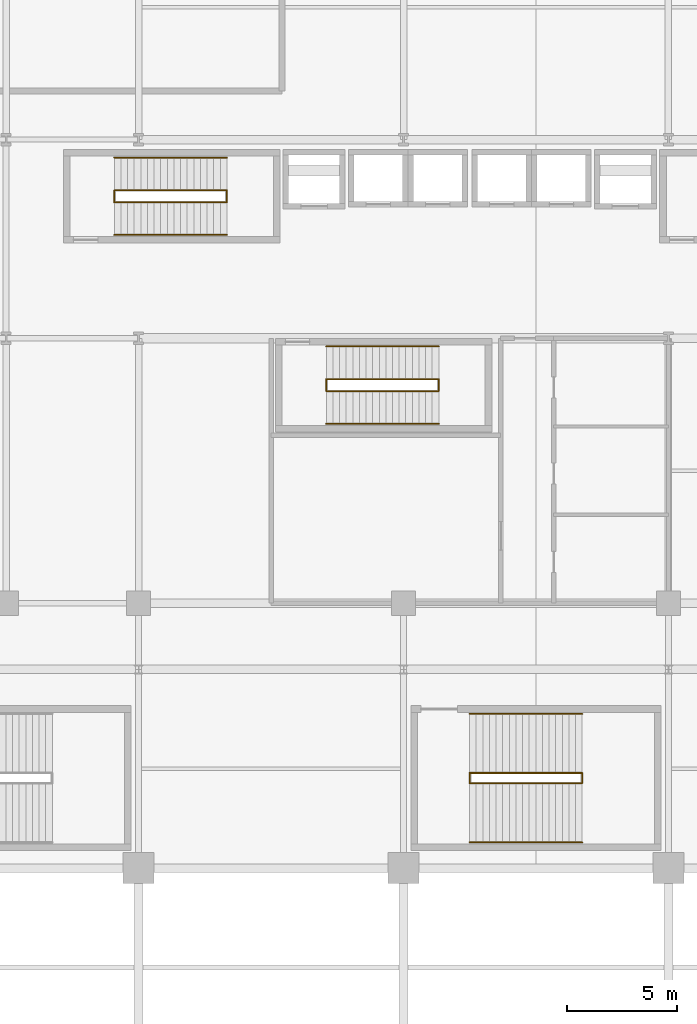
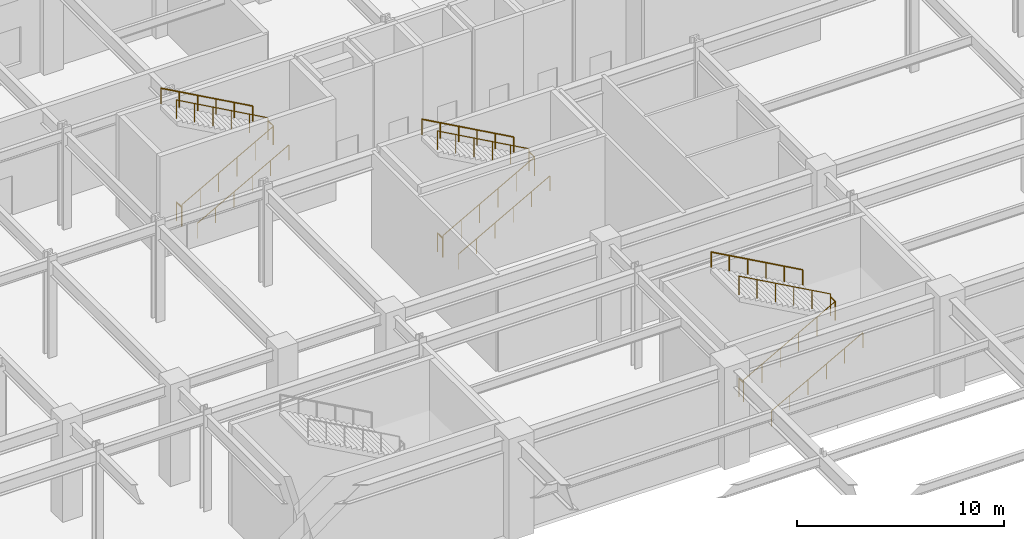
# One storey, part 101 of 105: 18 railings.
"""IFC4 building model written with IfcOpenShell, lengths in metres."""

from ifc_helpers import new_model, si_unit, direction, frame, origin, origin_2d, place, context, subcontext, project, spatial, circle, extrude, material, type_object, element, save


model = new_model("IFC4")

# Units and contexts
model_context = context("Model", 3, precision=1e-05, world=origin(), true_north=direction((0.0, 1.0)))
body_context = subcontext(model_context, "Body", "Model", "MODEL_VIEW")
ifc_project = project(units=[si_unit("LENGTHUNIT", "METRE"), si_unit("AREAUNIT", "SQUARE_METRE"), si_unit("VOLUMEUNIT", "CUBIC_METRE"), si_unit("PLANEANGLEUNIT", "RADIAN"), si_unit("MASSUNIT", "GRAM", prefix="KILO")], contexts=[model_context])

# Site, building, storey
site_placement = place(None, origin())
site = spatial("IfcSite", under=ifc_project, at=site_placement, CompositionType="ELEMENT")
building_placement = place(site_placement, origin())
building = spatial("IfcBuilding", under=site, at=building_placement, Name="Kaldorvane Square Convention Centre", CompositionType="ELEMENT")
storey_placement = place(building_placement, frame((0.0, 0.0, 6.0)))
storey = spatial("IfcBuildingStorey", under=building, at=storey_placement, Name="L01", CompositionType="ELEMENT", Elevation=6.0)

# Railings
ifc_material = material(Name="Architectural Painted Steel", Category="steel")
railing_type_1 = type_object("IfcRailingType", Name="RL-GUARD-1120", PredefinedType="BALUSTRADE", material=ifc_material)
for number, where, name in (
    (1, (40.899993896484375, 102.16999816894531, 0.0), "Tower Exit Stair T1 Floor Well Guard (L01)"),
    (2, (46.0, 102.16999816894531, 3.0), "Tower Exit Stair T1 Half-Landing Guard (L01)"),
):
    element("IfcRailing", number, at=place(storey_placement, frame(where)), inside=storey, type_object=railing_type_1, Name=name, PredefinedType="BALUSTRADE", context=body_context, shape_type="SweptSolid", body=[
        extrude(circle(Radius=0.0240020751953125, at=origin_2d()), frame((0.0, 0.0, 1.0959930419921875), z_axis=(0.0, 1.0, 0.0), x_axis=(-1.0, 0.0, 0.0)), (0.0, 0.0, 1.0), 0.5200042724609375),
        extrude(circle(Radius=0.02099609375, at=origin_2d()), origin(), (0.0, 0.0, 1.0), 1.071990966796875),
        extrude(circle(Radius=0.02099609375, at=origin_2d()), frame((0.0, 0.5200042724609375, 0.0)), (0.0, 0.0, 1.0), 1.071990966796875),
    ])
railing_1_placement = place(storey_placement, frame((40.899993896484375, 102.16000366210938, 0.1666717529296875)))
element("IfcRailing", 3, at=railing_1_placement, inside=storey, type_object=railing_type_1, Name="Tower Exit Stair T1 Flight 1 Guard (L01)", PredefinedType="BALUSTRADE", context=body_context, shape_type="SweptSolid", body=[
    extrude(circle(Radius=0.0240020751953125, at=origin_2d()), frame((0.0, 0.0, 1.0959930419921875), z_axis=(0.874157892962, 0.0, 0.485641820864), x_axis=(0.0, 1.0, 0.0)), (0.0, 0.0, 1.0), 5.834197998046875),
    extrude(circle(Radius=0.02099609375, at=origin_2d()), origin(), (0.0, 0.0, 1.0), 1.071990966796875),
    extrude(circle(Radius=0.02099609375, at=origin_2d()), frame((1.0200042724609375, 0.0, 0.5666656494140625)), (0.0, 0.0, 1.0), 1.071990966796875),
    extrude(circle(Radius=0.02099609375, at=origin_2d()), frame((2.040008544921875, 0.0, 1.133331298828125)), (0.0, 0.0, 1.0), 1.071990966796875),
    extrude(circle(Radius=0.02099609375, at=origin_2d()), frame((3.05999755859375, 0.0, 1.6999969482421875)), (0.0, 0.0, 1.0), 1.071990966796875),
    extrude(circle(Radius=0.02099609375, at=origin_2d()), frame((4.0800018310546875, 0.0, 2.26666259765625)), (0.0, 0.0, 1.0), 1.071990966796875),
    extrude(circle(Radius=0.02099609375, at=origin_2d()), frame((5.100006103515625, 0.0, 2.8333282470703125)), (0.0, 0.0, 1.0), 1.071990966796875),
])
railing_2_placement = place(storey_placement, frame((46.0, 102.69999694824219, 3.1666717529296875)))
element("IfcRailing", 4, at=railing_2_placement, inside=storey, type_object=railing_type_1, Name="Tower Exit Stair T1 Flight 2 Guard (L01)", PredefinedType="BALUSTRADE", context=body_context, shape_type="SweptSolid", body=[
    extrude(circle(Radius=0.0240020751953125, at=origin_2d()), frame((0.0, 0.0, 1.0959930419921875), z_axis=(-0.874157892962, 0.0, 0.485641820864), x_axis=(0.0, -1.0, 0.0)), (0.0, 0.0, 1.0), 5.834197998046875),
    extrude(circle(Radius=0.02099609375, at=origin_2d()), origin(), (0.0, 0.0, 1.0), 1.071990966796875),
    extrude(circle(Radius=0.02099609375, at=origin_2d()), frame((-1.0200042724609375, 0.0, 0.5666656494140625)), (0.0, 0.0, 1.0), 1.071990966796875),
    extrude(circle(Radius=0.02099609375, at=origin_2d()), frame((-2.040008544921875, 0.0, 1.133331298828125)), (0.0, 0.0, 1.0), 1.071990966796875),
    extrude(circle(Radius=0.02099609375, at=origin_2d()), frame((-3.05999755859375, 0.0, 1.6999969482421875)), (0.0, 0.0, 1.0), 1.071990966796875),
    extrude(circle(Radius=0.02099609375, at=origin_2d()), frame((-4.0800018310546875, 0.0, 2.26666259765625)), (0.0, 0.0, 1.0), 1.071990966796875),
    extrude(circle(Radius=0.02099609375, at=origin_2d()), frame((-5.100006103515625, 0.0, 2.8333282470703125)), (0.0, 0.0, 1.0), 1.071990966796875),
])
for number, where, name in (
    (5, (50.5, 93.6199951171875, 0.0), "Tower Exit Stair T3 Floor Well Guard (L01)"),
    (6, (55.600006103515625, 93.6199951171875, 3.0), "Tower Exit Stair T3 Half-Landing Guard (L01)"),
):
    element("IfcRailing", number, at=place(storey_placement, frame(where)), inside=storey, type_object=railing_type_1, Name=name, PredefinedType="BALUSTRADE", context=body_context, shape_type="SweptSolid", body=[
        extrude(circle(Radius=0.0240020751953125, at=origin_2d()), frame((0.0, 0.0, 1.0959930419921875), z_axis=(0.0, 1.0, 0.0), x_axis=(-1.0, 0.0, 0.0)), (0.0, 0.0, 1.0), 0.5200042724609375),
        extrude(circle(Radius=0.02099609375, at=origin_2d()), origin(), (0.0, 0.0, 1.0), 1.071990966796875),
        extrude(circle(Radius=0.02099609375, at=origin_2d()), frame((0.0, 0.5200042724609375, 0.0)), (0.0, 0.0, 1.0), 1.071990966796875),
    ])
railing_3_placement = place(storey_placement, frame((50.5, 93.61000061035156, 0.1666717529296875)))
element("IfcRailing", 7, at=railing_3_placement, inside=storey, type_object=railing_type_1, Name="Tower Exit Stair T3 Flight 1 Guard (L01)", PredefinedType="BALUSTRADE", context=body_context, shape_type="SweptSolid", body=[
    extrude(circle(Radius=0.0240020751953125, at=origin_2d()), frame((0.0, 0.0, 1.0959930419921875), z_axis=(0.874157892962, 0.0, 0.485641820864), x_axis=(0.0, 1.0, 0.0)), (0.0, 0.0, 1.0), 5.834197998046875),
    extrude(circle(Radius=0.02099609375, at=origin_2d()), origin(), (0.0, 0.0, 1.0), 1.071990966796875),
    extrude(circle(Radius=0.02099609375, at=origin_2d()), frame((1.0200042724609375, 0.0, 0.5666656494140625)), (0.0, 0.0, 1.0), 1.071990966796875),
    extrude(circle(Radius=0.02099609375, at=origin_2d()), frame((2.040008544921875, 0.0, 1.133331298828125)), (0.0, 0.0, 1.0), 1.071990966796875),
    extrude(circle(Radius=0.02099609375, at=origin_2d()), frame((3.05999755859375, 0.0, 1.6999969482421875)), (0.0, 0.0, 1.0), 1.071990966796875),
    extrude(circle(Radius=0.02099609375, at=origin_2d()), frame((4.0800018310546875, 0.0, 2.26666259765625)), (0.0, 0.0, 1.0), 1.071990966796875),
    extrude(circle(Radius=0.02099609375, at=origin_2d()), frame((5.100006103515625, 0.0, 2.8333282470703125)), (0.0, 0.0, 1.0), 1.071990966796875),
])
railing_4_placement = place(storey_placement, frame((55.600006103515625, 94.14999389648438, 3.1666717529296875)))
element("IfcRailing", 8, at=railing_4_placement, inside=storey, type_object=railing_type_1, Name="Tower Exit Stair T3 Flight 2 Guard (L01)", PredefinedType="BALUSTRADE", context=body_context, shape_type="SweptSolid", body=[
    extrude(circle(Radius=0.0240020751953125, at=origin_2d()), frame((0.0, 0.0, 1.0959930419921875), z_axis=(-0.874157892962, 0.0, 0.485641820864), x_axis=(0.0, -1.0, 0.0)), (0.0, 0.0, 1.0), 5.834197998046875),
    extrude(circle(Radius=0.02099609375, at=origin_2d()), origin(), (0.0, 0.0, 1.0), 1.071990966796875),
    extrude(circle(Radius=0.02099609375, at=origin_2d()), frame((-1.0200042724609375, 0.0, 0.5666656494140625)), (0.0, 0.0, 1.0), 1.071990966796875),
    extrude(circle(Radius=0.02099609375, at=origin_2d()), frame((-2.040008544921875, 0.0, 1.133331298828125)), (0.0, 0.0, 1.0), 1.071990966796875),
    extrude(circle(Radius=0.02099609375, at=origin_2d()), frame((-3.05999755859375, 0.0, 1.6999969482421875)), (0.0, 0.0, 1.0), 1.071990966796875),
    extrude(circle(Radius=0.02099609375, at=origin_2d()), frame((-4.0800018310546875, 0.0, 2.26666259765625)), (0.0, 0.0, 1.0), 1.071990966796875),
    extrude(circle(Radius=0.02099609375, at=origin_2d()), frame((-5.100006103515625, 0.0, 2.8333282470703125)), (0.0, 0.0, 1.0), 1.071990966796875),
])
for number, where, name in (
    (9, (56.99000549316406, 75.86000061035156, 0.0), "Convention Exit Stair C14 Floor Well Guard (L01)"),
    (10, (62.089996337890625, 75.86000061035156, 3.0), "Convention Exit Stair C14 Half-Landing Guard (L01)"),
):
    element("IfcRailing", number, at=place(storey_placement, frame(where)), inside=storey, type_object=railing_type_1, Name=name, PredefinedType="BALUSTRADE", context=body_context, shape_type="SweptSolid", body=[
        extrude(circle(Radius=0.0240020751953125, at=origin_2d()), frame((0.0, 0.0, 1.0959930419921875), z_axis=(0.0, 1.0, 0.0), x_axis=(-1.0, 0.0, 0.0)), (0.0, 0.0, 1.0), 0.44000244140625),
        extrude(circle(Radius=0.02099609375, at=origin_2d()), origin(), (0.0, 0.0, 1.0), 1.071990966796875),
        extrude(circle(Radius=0.02099609375, at=origin_2d()), frame((0.0, 0.44000244140625, 0.0)), (0.0, 0.0, 1.0), 1.071990966796875),
    ])
railing_5_placement = place(storey_placement, frame((56.99000549316406, 75.85000610351562, 0.1666717529296875)))
element("IfcRailing", 11, at=railing_5_placement, inside=storey, type_object=railing_type_1, Name="Convention Exit Stair C14 Flight 1 Guard (L01)", PredefinedType="BALUSTRADE", context=body_context, shape_type="SweptSolid", body=[
    extrude(circle(Radius=0.0240020751953125, at=origin_2d()), frame((0.0, 0.0, 1.0959930419921875), z_axis=(0.874157276122, 0.0, 0.485642931179), x_axis=(0.0, 1.0, 0.0)), (0.0, 0.0, 1.0), 5.8341827392578125),
    extrude(circle(Radius=0.02099609375, at=origin_2d()), origin(), (0.0, 0.0, 1.0), 1.071990966796875),
    extrude(circle(Radius=0.02099609375, at=origin_2d()), frame((1.0200042724609375, 0.0, 0.5666656494140625)), (0.0, 0.0, 1.0), 1.071990966796875),
    extrude(circle(Radius=0.02099609375, at=origin_2d()), frame((2.0399932861328125, 0.0, 1.133331298828125)), (0.0, 0.0, 1.0), 1.071990966796875),
    extrude(circle(Radius=0.02099609375, at=origin_2d()), frame((3.05999755859375, 0.0, 1.6999969482421875)), (0.0, 0.0, 1.0), 1.071990966796875),
    extrude(circle(Radius=0.02099609375, at=origin_2d()), frame((4.079986572265625, 0.0, 2.26666259765625)), (0.0, 0.0, 1.0), 1.071990966796875),
    extrude(circle(Radius=0.02099609375, at=origin_2d()), frame((5.0999908447265625, 0.0, 2.8333282470703125)), (0.0, 0.0, 1.0), 1.071990966796875),
])
railing_6_placement = place(storey_placement, frame((62.089996337890625, 76.30999755859375, 3.1666717529296875)))
element("IfcRailing", 12, at=railing_6_placement, inside=storey, type_object=railing_type_1, Name="Convention Exit Stair C14 Flight 2 Guard (L01)", PredefinedType="BALUSTRADE", context=body_context, shape_type="SweptSolid", body=[
    extrude(circle(Radius=0.0240020751953125, at=origin_2d()), frame((0.0, 0.0, 1.0959930419921875), z_axis=(-0.874157276122, 0.0, 0.485642931179), x_axis=(0.0, -1.0, 0.0)), (0.0, 0.0, 1.0), 5.8341827392578125),
    extrude(circle(Radius=0.02099609375, at=origin_2d()), origin(), (0.0, 0.0, 1.0), 1.071990966796875),
    extrude(circle(Radius=0.02099609375, at=origin_2d()), frame((-1.0200042724609375, 0.0, 0.5666656494140625)), (0.0, 0.0, 1.0), 1.071990966796875),
    extrude(circle(Radius=0.02099609375, at=origin_2d()), frame((-2.0399932861328125, 0.0, 1.133331298828125)), (0.0, 0.0, 1.0), 1.071990966796875),
    extrude(circle(Radius=0.02099609375, at=origin_2d()), frame((-3.05999755859375, 0.0, 1.6999969482421875)), (0.0, 0.0, 1.0), 1.071990966796875),
    extrude(circle(Radius=0.02099609375, at=origin_2d()), frame((-4.079986572265625, 0.0, 2.26666259765625)), (0.0, 0.0, 1.0), 1.071990966796875),
    extrude(circle(Radius=0.02099609375, at=origin_2d()), frame((-5.0999908447265625, 0.0, 2.8333282470703125)), (0.0, 0.0, 1.0), 1.071990966796875),
])
railing_type_2 = type_object("IfcRailingType", Name="RL-HAND-915", PredefinedType="HANDRAIL", material=ifc_material)
railing_7_placement = place(storey_placement, frame((40.899993896484375, 100.67999267578125, 0.1666717529296875)))
element("IfcRailing", 13, at=railing_7_placement, inside=storey, type_object=railing_type_2, Name="Tower Exit Stair T1 Wall Handrail 1 (L01)", PredefinedType="HANDRAIL", context=body_context, shape_type="SweptSolid", body=[
    extrude(circle(Radius=0.0240020751953125, at=origin_2d()), frame((0.0, 0.0, 0.8909912109375), z_axis=(0.874157892962, 0.0, 0.485641820864), x_axis=(0.0, 1.0, 0.0)), (0.0, 0.0, 1.0), 5.834197998046875),
    extrude(circle(Radius=0.02099609375, at=origin_2d()), origin(), (0.0, 0.0, 1.0), 0.8669891357421875),
    extrude(circle(Radius=0.02099609375, at=origin_2d()), frame((1.0200042724609375, 0.0, 0.5666656494140625)), (0.0, 0.0, 1.0), 0.8669891357421875),
    extrude(circle(Radius=0.02099609375, at=origin_2d()), frame((2.040008544921875, 0.0, 1.133331298828125)), (0.0, 0.0, 1.0), 0.8669891357421875),
    extrude(circle(Radius=0.02099609375, at=origin_2d()), frame((3.05999755859375, 0.0, 1.6999969482421875)), (0.0, 0.0, 1.0), 0.8669891357421875),
    extrude(circle(Radius=0.02099609375, at=origin_2d()), frame((4.0800018310546875, 0.0, 2.26666259765625)), (0.0, 0.0, 1.0), 0.8669891357421875),
    extrude(circle(Radius=0.02099609375, at=origin_2d()), frame((5.100006103515625, 0.0, 2.8333282470703125)), (0.0, 0.0, 1.0), 0.8669891357421875),
])
railing_8_placement = place(storey_placement, frame((46.0, 104.17999267578125, 3.1666717529296875)))
element("IfcRailing", 14, at=railing_8_placement, inside=storey, type_object=railing_type_2, Name="Tower Exit Stair T1 Wall Handrail 2 (L01)", PredefinedType="HANDRAIL", context=body_context, shape_type="SweptSolid", body=[
    extrude(circle(Radius=0.0240020751953125, at=origin_2d()), frame((0.0, 0.0, 0.8909912109375), z_axis=(-0.874157892962, 0.0, 0.485641820864), x_axis=(0.0, -1.0, 0.0)), (0.0, 0.0, 1.0), 5.834197998046875),
    extrude(circle(Radius=0.02099609375, at=origin_2d()), origin(), (0.0, 0.0, 1.0), 0.8669891357421875),
    extrude(circle(Radius=0.02099609375, at=origin_2d()), frame((-1.0200042724609375, 0.0, 0.5666656494140625)), (0.0, 0.0, 1.0), 0.8669891357421875),
    extrude(circle(Radius=0.02099609375, at=origin_2d()), frame((-2.040008544921875, 0.0, 1.133331298828125)), (0.0, 0.0, 1.0), 0.8669891357421875),
    extrude(circle(Radius=0.02099609375, at=origin_2d()), frame((-3.05999755859375, 0.0, 1.6999969482421875)), (0.0, 0.0, 1.0), 0.8669891357421875),
    extrude(circle(Radius=0.02099609375, at=origin_2d()), frame((-4.0800018310546875, 0.0, 2.26666259765625)), (0.0, 0.0, 1.0), 0.8669891357421875),
    extrude(circle(Radius=0.02099609375, at=origin_2d()), frame((-5.100006103515625, 0.0, 2.8333282470703125)), (0.0, 0.0, 1.0), 0.8669891357421875),
])
railing_9_placement = place(storey_placement, frame((50.5, 92.1300048828125, 0.1666717529296875)))
element("IfcRailing", 15, at=railing_9_placement, inside=storey, type_object=railing_type_2, Name="Tower Exit Stair T3 Wall Handrail 1 (L01)", PredefinedType="HANDRAIL", context=body_context, shape_type="SweptSolid", body=[
    extrude(circle(Radius=0.0240020751953125, at=origin_2d()), frame((0.0, 0.0, 0.8909912109375), z_axis=(0.874157892962, 0.0, 0.485641820864), x_axis=(0.0, 1.0, 0.0)), (0.0, 0.0, 1.0), 5.834197998046875),
    extrude(circle(Radius=0.02099609375, at=origin_2d()), origin(), (0.0, 0.0, 1.0), 0.8669891357421875),
    extrude(circle(Radius=0.02099609375, at=origin_2d()), frame((1.0200042724609375, 0.0, 0.5666656494140625)), (0.0, 0.0, 1.0), 0.8669891357421875),
    extrude(circle(Radius=0.02099609375, at=origin_2d()), frame((2.040008544921875, 0.0, 1.133331298828125)), (0.0, 0.0, 1.0), 0.8669891357421875),
    extrude(circle(Radius=0.02099609375, at=origin_2d()), frame((3.05999755859375, 0.0, 1.6999969482421875)), (0.0, 0.0, 1.0), 0.8669891357421875),
    extrude(circle(Radius=0.02099609375, at=origin_2d()), frame((4.0800018310546875, 0.0, 2.26666259765625)), (0.0, 0.0, 1.0), 0.8669891357421875),
    extrude(circle(Radius=0.02099609375, at=origin_2d()), frame((5.100006103515625, 0.0, 2.8333282470703125)), (0.0, 0.0, 1.0), 0.8669891357421875),
])
railing_10_placement = place(storey_placement, frame((55.600006103515625, 95.6300048828125, 3.1666717529296875)))
element("IfcRailing", 16, at=railing_10_placement, inside=storey, type_object=railing_type_2, Name="Tower Exit Stair T3 Wall Handrail 2 (L01)", PredefinedType="HANDRAIL", context=body_context, shape_type="SweptSolid", body=[
    extrude(circle(Radius=0.0240020751953125, at=origin_2d()), frame((0.0, 0.0, 0.8909912109375), z_axis=(-0.874157892962, 0.0, 0.485641820864), x_axis=(0.0, -1.0, 0.0)), (0.0, 0.0, 1.0), 5.834197998046875),
    extrude(circle(Radius=0.02099609375, at=origin_2d()), origin(), (0.0, 0.0, 1.0), 0.8669891357421875),
    extrude(circle(Radius=0.02099609375, at=origin_2d()), frame((-1.0200042724609375, 0.0, 0.5666656494140625)), (0.0, 0.0, 1.0), 0.8669891357421875),
    extrude(circle(Radius=0.02099609375, at=origin_2d()), frame((-2.040008544921875, 0.0, 1.133331298828125)), (0.0, 0.0, 1.0), 0.8669891357421875),
    extrude(circle(Radius=0.02099609375, at=origin_2d()), frame((-3.05999755859375, 0.0, 1.6999969482421875)), (0.0, 0.0, 1.0), 0.8669891357421875),
    extrude(circle(Radius=0.02099609375, at=origin_2d()), frame((-4.0800018310546875, 0.0, 2.26666259765625)), (0.0, 0.0, 1.0), 0.8669891357421875),
    extrude(circle(Radius=0.02099609375, at=origin_2d()), frame((-5.100006103515625, 0.0, 2.8333282470703125)), (0.0, 0.0, 1.0), 0.8669891357421875),
])
railing_11_placement = place(storey_placement, frame((56.99000549316406, 73.16999816894531, 0.1666717529296875)))
element("IfcRailing", 17, at=railing_11_placement, inside=storey, type_object=railing_type_2, Name="Convention Exit Stair C14 Wall Handrail 1 (L01)", PredefinedType="HANDRAIL", context=body_context, shape_type="SweptSolid", body=[
    extrude(circle(Radius=0.0240020751953125, at=origin_2d()), frame((0.0, 0.0, 0.8909912109375), z_axis=(0.874157276122, 0.0, 0.485642931179), x_axis=(0.0, 1.0, 0.0)), (0.0, 0.0, 1.0), 5.8341827392578125),
    extrude(circle(Radius=0.02099609375, at=origin_2d()), origin(), (0.0, 0.0, 1.0), 0.8669891357421875),
    extrude(circle(Radius=0.02099609375, at=origin_2d()), frame((1.0200042724609375, 0.0, 0.5666656494140625)), (0.0, 0.0, 1.0), 0.8669891357421875),
    extrude(circle(Radius=0.02099609375, at=origin_2d()), frame((2.0399932861328125, 0.0, 1.133331298828125)), (0.0, 0.0, 1.0), 0.8669891357421875),
    extrude(circle(Radius=0.02099609375, at=origin_2d()), frame((3.05999755859375, 0.0, 1.6999969482421875)), (0.0, 0.0, 1.0), 0.8669891357421875),
    extrude(circle(Radius=0.02099609375, at=origin_2d()), frame((4.079986572265625, 0.0, 2.26666259765625)), (0.0, 0.0, 1.0), 0.8669891357421875),
    extrude(circle(Radius=0.02099609375, at=origin_2d()), frame((5.0999908447265625, 0.0, 2.8333282470703125)), (0.0, 0.0, 1.0), 0.8669891357421875),
])
railing_12_placement = place(storey_placement, frame((62.089996337890625, 78.99000549316406, 3.1666717529296875)))
element("IfcRailing", 18, at=railing_12_placement, inside=storey, type_object=railing_type_2, Name="Convention Exit Stair C14 Wall Handrail 2 (L01)", PredefinedType="HANDRAIL", context=body_context, shape_type="SweptSolid", body=[
    extrude(circle(Radius=0.0240020751953125, at=origin_2d()), frame((0.0, 0.0, 0.8909912109375), z_axis=(-0.874157276122, 0.0, 0.485642931179), x_axis=(0.0, -1.0, 0.0)), (0.0, 0.0, 1.0), 5.8341827392578125),
    extrude(circle(Radius=0.02099609375, at=origin_2d()), origin(), (0.0, 0.0, 1.0), 0.8669891357421875),
    extrude(circle(Radius=0.02099609375, at=origin_2d()), frame((-1.0200042724609375, 0.0, 0.5666656494140625)), (0.0, 0.0, 1.0), 0.8669891357421875),
    extrude(circle(Radius=0.02099609375, at=origin_2d()), frame((-2.0399932861328125, 0.0, 1.133331298828125)), (0.0, 0.0, 1.0), 0.8669891357421875),
    extrude(circle(Radius=0.02099609375, at=origin_2d()), frame((-3.05999755859375, 0.0, 1.6999969482421875)), (0.0, 0.0, 1.0), 0.8669891357421875),
    extrude(circle(Radius=0.02099609375, at=origin_2d()), frame((-4.079986572265625, 0.0, 2.26666259765625)), (0.0, 0.0, 1.0), 0.8669891357421875),
    extrude(circle(Radius=0.02099609375, at=origin_2d()), frame((-5.0999908447265625, 0.0, 2.8333282470703125)), (0.0, 0.0, 1.0), 0.8669891357421875),
])

save(model, "model.ifc")
